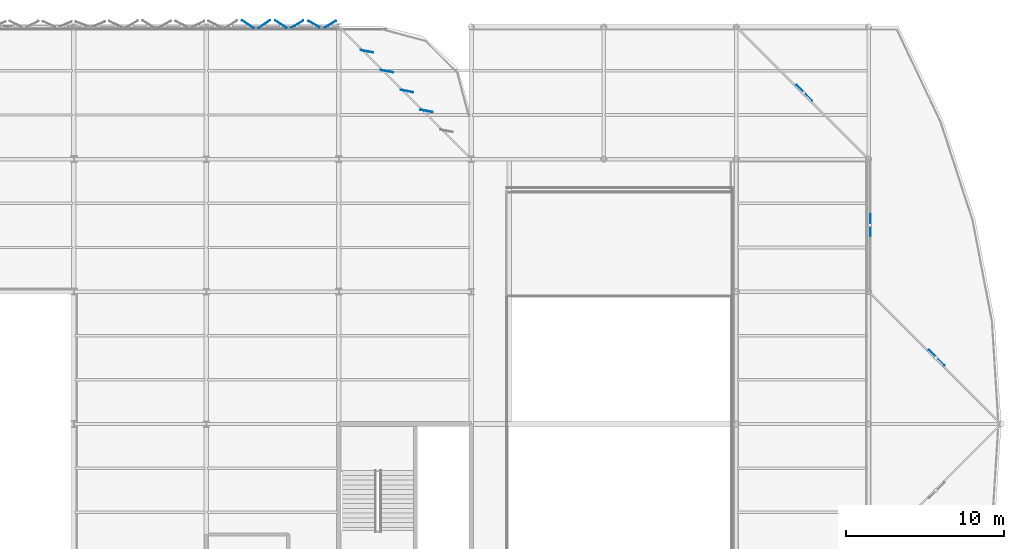
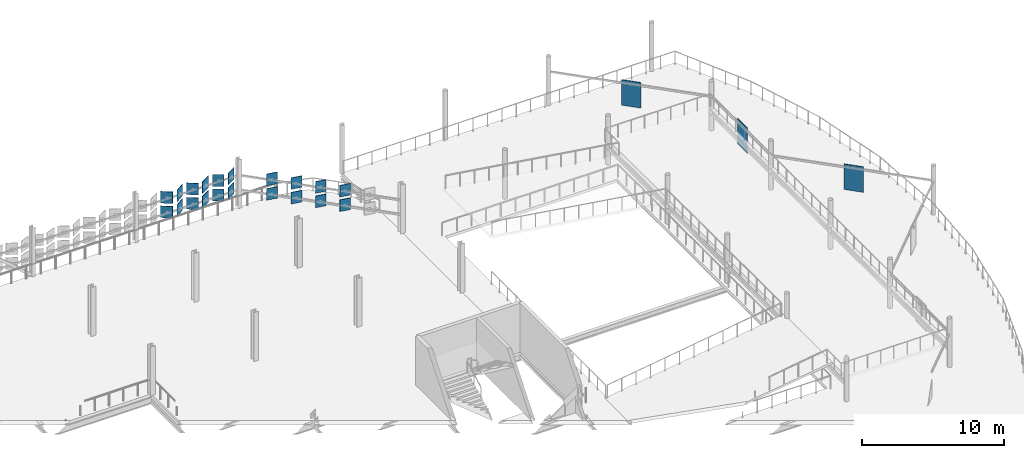
# One storey, part 151 of 184: 23 plates.
"""IFC4 building model written with IfcOpenShell, lengths in metres."""

import ifcopenshell
import ifcopenshell.guid

model = None  # the IFC model being written
_history = None  # IfcOwnerHistory: only IFC2X3 demands one
_inside = {}  # id of a spatial element -> (the spatial element, [elements in it])
_under = {}  # id of a project, library or spatial element -> (it, [spatial elements below it])
_declared = {}  # id of a project -> (the project, [libraries it declares])
_typed = {}  # id of a type object -> (the type object, [elements of that type])
_made_of = {}  # id of a material, layer set ... -> (it, [elements and type objects made of it])


def new_model(schema):
    """Start an empty IFC model of exactly this schema.

    Asked for "IFC4X3", IfcOpenShell would pick the latest addendum, in which some entities
    have other attributes; the version numbers below select the first issue.
    IFC2X3 requires an IfcOwnerHistory on every rooted entity: one is made here for all.
    """
    global model, _history
    if schema == "IFC4X3":
        model = ifcopenshell.file(schema_version=(4, 3, 0, 0))
    else:
        model = ifcopenshell.file(schema=schema)
    _inside.clear()
    _under.clear()
    _declared.clear()
    _typed.clear()
    _made_of.clear()
    _history = None
    if model.schema == "IFC2X3":
        org = make("IfcOrganization", Name="unknown")
        user = make(
            "IfcPersonAndOrganization",
            ThePerson=make("IfcPerson", FamilyName="unknown"),
            TheOrganization=org,
        )
        app = make(
            "IfcApplication",
            ApplicationDeveloper=org,
            Version="unknown",
            ApplicationFullName="unknown",
            ApplicationIdentifier="unknown",
        )
        _history = make(
            "IfcOwnerHistory",
            OwningUser=user,
            OwningApplication=app,
            ChangeAction="ADDED",
            CreationDate=0,
        )
    return model


def make(cls, **values):
    """One entity of the class cls with the attributes given. An attribute that is None is left unset."""
    return model.create_entity(
        cls, **{name: value for name, value in values.items() if value is not None}
    )


def rooted(cls, **values):
    """An entity with a GlobalId (a new one), such as an element, a storey or a relation."""
    return make(cls, GlobalId=ifcopenshell.guid.new(), OwnerHistory=_history, **values)


def si_unit(unit_type, name, prefix=None):
    """IfcSIUnit, for example si_unit("LENGTHUNIT", "METRE", prefix="MILLI")."""
    return make("IfcSIUnit", UnitType=unit_type, Prefix=prefix, Name=name)


def assignment(units):
    """IfcUnitAssignment: the units of a project."""
    return None if units is None else make("IfcUnitAssignment", Units=units)


def point(xyz):
    """IfcCartesianPoint."""
    return None if xyz is None else make("IfcCartesianPoint", Coordinates=xyz)


def direction(xyz):
    """IfcDirection."""
    return None if xyz is None else make("IfcDirection", DirectionRatios=xyz)


def frame(location, z_axis=None, x_axis=None):
    """IfcAxis2Placement3D, a coordinate frame: its origin and axes. An axis left out is left unset."""
    return make(
        "IfcAxis2Placement3D",
        Location=point(location),
        Axis=direction(z_axis),
        RefDirection=direction(x_axis),
    )


def frame_2d(location, x_axis=None):
    """IfcAxis2Placement2D, a coordinate frame in the plane: its origin and x axis."""
    return make(
        "IfcAxis2Placement2D", Location=point(location), RefDirection=direction(x_axis)
    )


def origin():
    """The frame at (0, 0, 0) with its axes left unset."""
    return frame((0.0, 0.0, 0.0))


def origin_2d():
    """The frame at (0, 0) in the plane with its x axis left unset."""
    return frame_2d((0.0, 0.0))


def place(relative_to, where):
    """IfcLocalPlacement: puts the frame where relative to a parent placement (None: the world)."""
    return make(
        "IfcLocalPlacement", PlacementRelTo=relative_to, RelativePlacement=where
    )


def context(
    kind, dimensions, precision=None, world=None, true_north=None, identifier=None
):
    """IfcGeometricRepresentationContext, for example the 3D "Model" context."""
    return make(
        "IfcGeometricRepresentationContext",
        ContextIdentifier=identifier,
        ContextType=kind,
        CoordinateSpaceDimension=dimensions,
        Precision=precision,
        WorldCoordinateSystem=world,
        TrueNorth=true_north,
    )


def subcontext(parent, identifier, kind, view, scale=None):
    """IfcGeometricRepresentationSubContext, for example "Body" below "Model"."""
    return make(
        "IfcGeometricRepresentationSubContext",
        ContextIdentifier=identifier,
        ContextType=kind,
        ParentContext=parent,
        TargetScale=scale,
        TargetView=view,
    )


def project(units=None, contexts=None):
    """IfcProject with its units and contexts."""
    return rooted(
        "IfcProject",
        Name="project",
        RepresentationContexts=contexts,
        UnitsInContext=assignment(units),
    )


def spatial(cls, under=None, at=None, **own):
    """A site, building, storey or space (cls), placed at a placement, below another one or the project."""
    s = rooted(cls, ObjectPlacement=at, **own)
    if under is not None:
        _under.setdefault(under.id(), (under, []))[1].append(s)
    return s


def profile(cls, at=None, kind="AREA", **sizes):
    """A parametric profile (cls). Its sizes go by their IFC names, for example OverallWidth=200.0."""
    return make(cls, ProfileType=kind, Position=at, **sizes)


def rectangle(**sizes):
    """IfcRectangleProfileDef."""
    return profile("IfcRectangleProfileDef", **sizes)


def extrude(swept, where, along, depth):
    """IfcExtrudedAreaSolid: the profile swept, set in the frame where, extruded along a direction by depth."""
    return make(
        "IfcExtrudedAreaSolid",
        SweptArea=swept,
        Position=where,
        ExtrudedDirection=direction(along),
        Depth=depth,
    )


def shape(context_of_items, identifier, shape_type, items):
    """IfcShapeRepresentation: the items that make up one representation, for example the "Body"."""
    return make(
        "IfcShapeRepresentation",
        ContextOfItems=context_of_items,
        RepresentationIdentifier=identifier,
        RepresentationType=shape_type,
        Items=items,
    )


def material(Name=None, Category=None):
    """IfcMaterial."""
    return make("IfcMaterial", Name=Name, Category=Category)


def layer(
    of_material, thickness, ventilated=None, Name=None, Category=None, Priority=None
):
    """IfcMaterialLayer: one layer of a wall or slab, of a material (None: an air gap)."""
    return make(
        "IfcMaterialLayer",
        Material=of_material,
        LayerThickness=thickness,
        IsVentilated=ventilated,
        Name=Name,
        Category=Category,
        Priority=Priority,
    )


def layer_set(layers, Name=None):
    """IfcMaterialLayerSet."""
    return make("IfcMaterialLayerSet", MaterialLayers=layers, LayerSetName=Name)


def made_of(thing, what):
    """Note that an element or type object is made of a material, layer set ...; save() writes the relation."""
    if what is not None:
        _made_of.setdefault(what.id(), (what, []))[1].append(thing)
    return thing


def type_object(cls, material=None, **own):
    """A type object (cls), such as IfcWallType, which elements share."""
    return made_of(rooted(cls, **own), material)


def element(
    cls,
    number,
    at=None,
    inside=None,
    cuts=None,
    type_object=None,
    material=None,
    context=None,
    identifier="Body",
    shape_type=None,
    held_by="IfcProductDefinitionShape",
    body=None,
    shapes=None,
    **own,
):
    """One element of the class cls, such as IfcWall. Its Tag is "e" and its number.

    at: its placement. inside: the storey or other place that contains it. cuts: it is an
    opening in that element (IfcRelVoidsElement). A single representation is given by context,
    identifier, shape_type and body (its items); several are given by shapes. held_by: the class
    of the entity that holds the representations. save() writes the other relations.
    """
    e = rooted(cls, Tag="e%d" % number, ObjectPlacement=at, **own)
    if body is not None:
        shapes = [shape(context, identifier, shape_type, body)]
    if shapes is not None:
        e.Representation = make(held_by, Representations=shapes)
    if inside is not None:
        _inside.setdefault(inside.id(), (inside, []))[1].append(e)
    if cuts is not None:
        rooted(
            "IfcRelVoidsElement", RelatingBuildingElement=cuts, RelatedOpeningElement=e
        )
    if type_object is not None:
        _typed.setdefault(type_object.id(), (type_object, []))[1].append(e)
    return made_of(e, material)


def aggregate(whole, parts):
    """IfcRelAggregates: a whole, such as a stair, and the parts it consists of."""
    return rooted("IfcRelAggregates", RelatingObject=whole, RelatedObjects=parts)


def save(model, path):
    """Write the relations noted so far, then the file.

    IfcRelAggregates (storeys below a building ...), IfcRelContainedInSpatialStructure (elements
    in a storey), IfcRelDefinesByType, IfcRelAssociatesMaterial and IfcRelDeclares: one each for
    every whole, place, type object, material and project.
    """
    for whole, parts in _under.values():
        aggregate(whole, parts)
    for where, things in _inside.values():
        rooted(
            "IfcRelContainedInSpatialStructure",
            RelatedElements=things,
            RelatingStructure=where,
        )
    for kind, things in _typed.values():
        rooted("IfcRelDefinesByType", RelatedObjects=things, RelatingType=kind)
    for what, things in _made_of.values():
        rooted("IfcRelAssociatesMaterial", RelatedObjects=things, RelatingMaterial=what)
    for by, libraries in _declared.values():
        rooted("IfcRelDeclares", RelatingContext=by, RelatedDefinitions=libraries)
    model.write(path)


model = new_model("IFC4")

# Units and contexts
model_context = context("Model", 3, precision=1e-05, world=origin(), true_north=direction((0.0, 1.0)))
body_context = subcontext(model_context, "Body", "Model", "MODEL_VIEW")
ifc_project = project(units=[si_unit("LENGTHUNIT", "METRE"), si_unit("AREAUNIT", "SQUARE_METRE"), si_unit("VOLUMEUNIT", "CUBIC_METRE"), si_unit("PLANEANGLEUNIT", "RADIAN"), si_unit("MASSUNIT", "GRAM", prefix="KILO")], contexts=[model_context])

# Site, building, storey
site_placement = place(None, origin())
site = spatial("IfcSite", under=ifc_project, at=site_placement, CompositionType="ELEMENT")
building_placement = place(site_placement, origin())
building = spatial("IfcBuilding", under=site, at=building_placement, Name="Qalvenar Corner Mobility Hub", CompositionType="ELEMENT")
storey_placement = place(building_placement, frame((0.0, 0.0, 9.0)))
storey = spatial("IfcBuildingStorey", under=building, at=storey_placement, Name="L02", CompositionType="ELEMENT", Elevation=9.0)

# Plates
ifc_material_1 = material(Name="Perforated Bronze-Anodised Aluminium", Category="aluminium")
ifc_layer_1 = layer(ifc_material_1, 0.030029296875)
ifc_layer_set_1 = layer_set([ifc_layer_1], Name="Perforated Bronze-Anodised Aluminium")
plate_type_1 = type_object("IfcPlateType", Name="PLT-SCR-ROT", PredefinedType="SHEET", material=ifc_layer_set_1)
for number, where, z_axis, x_axis, name in (
    (1, (172.320068359375, 96.60009765625, 0.85009765625), (0.0, 0.0, 1.0), (-0.707106781187, 0.707106781187, 0.0), "Rotunda Sun Screen SC1-L02-4"),
    (2, (168.1201171875, 105.0, 0.85009765625), (0.0, 0.0, 1.0), (0.0, 1.0, 0.0), "Rotunda Sun Screen SC1-L02-5"),
    (3, (163.919921875, 113.39990234375, 0.85009765625), (0.0, 0.0, 1.0), (-0.707106781187, 0.707106781187, 0.0), "Rotunda Sun Screen SC1-L02-6"),
):
    element("IfcPlate", number, at=place(storey_placement, frame(where, z_axis=z_axis, x_axis=x_axis)), inside=storey, type_object=plate_type_1, Name=name, PredefinedType="SHEET", context=body_context, shape_type="SweptSolid", body=[
        extrude(rectangle(XDim=1.39990234375, YDim=0.030029296875, at=origin_2d()), origin(), (0.0, 0.0, 1.0), 2.199951171875),
    ])
ifc_material_2 = material(Name="Amber-Bronze Anodised Aluminium", Category="aluminium")
ifc_layer_2 = layer(ifc_material_2, 0.0400390625)
ifc_layer_set_2 = layer_set([ifc_layer_2], Name="Amber-Bronze Anodised Aluminium")
plate_type_2 = type_object("IfcPlateType", Name="PLT-XC-L2-CRN", PredefinedType="SHEET", material=ifc_layer_set_2)
for number, where, z_axis, x_axis, name in (
    (4, (133.875, 117.760009765625, 1.0), (0.0, 0.0, 1.0), (-0.854911870673, -0.518773258161, 0.0), "Hinged Facade Panel FP-L02-0489"),
    (5, (133.875, 117.760009765625, 2.25), (0.0, 0.0, 1.0), (-0.854911870673, -0.518773258161, 0.0), "Hinged Facade Panel FP-L02-0490"),
    (6, (132.824951171875, 117.760009765625, 1.0), (0.0, 0.0, 1.0), (-0.871299476719, 0.490751690644, 0.0), "Hinged Facade Panel FP-L02-0491"),
    (7, (132.824951171875, 117.760009765625, 2.25), (0.0, 0.0, 1.0), (-0.871299476719, 0.490751690644, 0.0), "Hinged Facade Panel FP-L02-0492"),
    (8, (139.97314453125, 112.253173828125, 1.0), (0.0, 0.0, 1.0), (-0.981627183448, 0.190808995377, 0.0), "Corner Hinged Panel FPC-L02-0702"),
    (9, (138.713134765625, 113.51318359375, 1.0), (0.0, 0.0, 1.0), (-0.981627183448, 0.190808995377, 0.0), "Corner Hinged Panel FPC-L02-0703"),
    (10, (137.453125, 114.773193359375, 1.0), (0.0, 0.0, 1.0), (-0.981627183448, 0.190808995377, 0.0), "Corner Hinged Panel FPC-L02-0704"),
    (11, (136.193115234375, 116.033203125, 1.0), (0.0, 0.0, 1.0), (-0.981627183448, 0.190808995377, 0.0), "Corner Hinged Panel FPC-L02-0705"),
    (12, (139.97314453125, 112.253173828125, 2.25), (0.0, 0.0, 1.0), (-0.981627183448, 0.190808995377, 0.0), "Corner Hinged Panel FPC-L02-0707"),
    (13, (138.713134765625, 113.51318359375, 2.25), (0.0, 0.0, 1.0), (-0.981627183448, 0.190808995377, 0.0), "Corner Hinged Panel FPC-L02-0708"),
    (14, (137.453125, 114.773193359375, 2.25), (0.0, 0.0, 1.0), (-0.981627183448, 0.190808995377, 0.0), "Corner Hinged Panel FPC-L02-0709"),
    (15, (136.193115234375, 116.033203125, 2.25), (0.0, 0.0, 1.0), (-0.981627183448, 0.190808995377, 0.0), "Corner Hinged Panel FPC-L02-0710"),
):
    element("IfcPlate", number, at=place(storey_placement, frame(where, z_axis=z_axis, x_axis=x_axis)), inside=storey, type_object=plate_type_2, Name=name, PredefinedType="SHEET", context=body_context, shape_type="SweptSolid", body=[
        extrude(rectangle(XDim=0.800048828125, YDim=0.0400390625, at=origin_2d()), origin(), (0.0, 0.0, 1.0), 1.0),
    ])
ifc_layer_3 = layer(ifc_material_2, 0.0380859375)
ifc_layer_set_3 = layer_set([ifc_layer_3], Name="Amber-Bronze Anodised Aluminium")
plate_type_3 = type_object("IfcPlateType", Name="PLT-XC-L2-STD", PredefinedType="SHEET", material=ifc_layer_set_3)
for number, where, z_axis, x_axis, name in (
    (16, (131.77490234375, 117.760009765625, 1.0), (0.0, 0.0, 1.0), (-0.861185921638, -0.508290082898, 0.0), "Hinged Facade Panel FP-L02-0493"),
    (17, (131.77490234375, 117.760009765625, 2.25), (0.0, 0.0, 1.0), (-0.861185921638, -0.508290082898, 0.0), "Hinged Facade Panel FP-L02-0494"),
    (18, (130.72509765625, 117.760009765625, 1.0), (0.0, 0.0, 1.0), (-0.835135979853, 0.550043539327, 0.0), "Hinged Facade Panel FP-L02-0495"),
    (19, (130.72509765625, 117.760009765625, 2.25), (0.0, 0.0, 1.0), (-0.835135979853, 0.550043539327, 0.0), "Hinged Facade Panel FP-L02-0496"),
    (20, (129.675048828125, 117.760009765625, 1.0), (0.0, 0.0, 1.0), (-0.819152044289, -0.573576436351, 0.0), "Hinged Facade Panel FP-L02-0497"),
    (21, (129.675048828125, 117.760009765625, 2.25), (0.0, 0.0, 1.0), (-0.819152044289, -0.573576436351, 0.0), "Hinged Facade Panel FP-L02-0498"),
    (22, (128.625, 117.760009765625, 1.0), (0.0, 0.0, 1.0), (-0.826196635763, 0.563381859003, 0.0), "Hinged Facade Panel FP-L02-0499"),
    (23, (128.625, 117.760009765625, 2.25), (0.0, 0.0, 1.0), (-0.826196635763, 0.563381859003, 0.0), "Hinged Facade Panel FP-L02-0500"),
):
    element("IfcPlate", number, at=place(storey_placement, frame(where, z_axis=z_axis, x_axis=x_axis)), inside=storey, type_object=plate_type_3, Name=name, PredefinedType="SHEET", context=body_context, shape_type="SweptSolid", body=[
        extrude(rectangle(XDim=0.860107421875, YDim=0.0380859375, at=origin_2d()), origin(), (0.0, 0.0, 1.0), 1.0),
    ])

save(model, "model.ifc")
